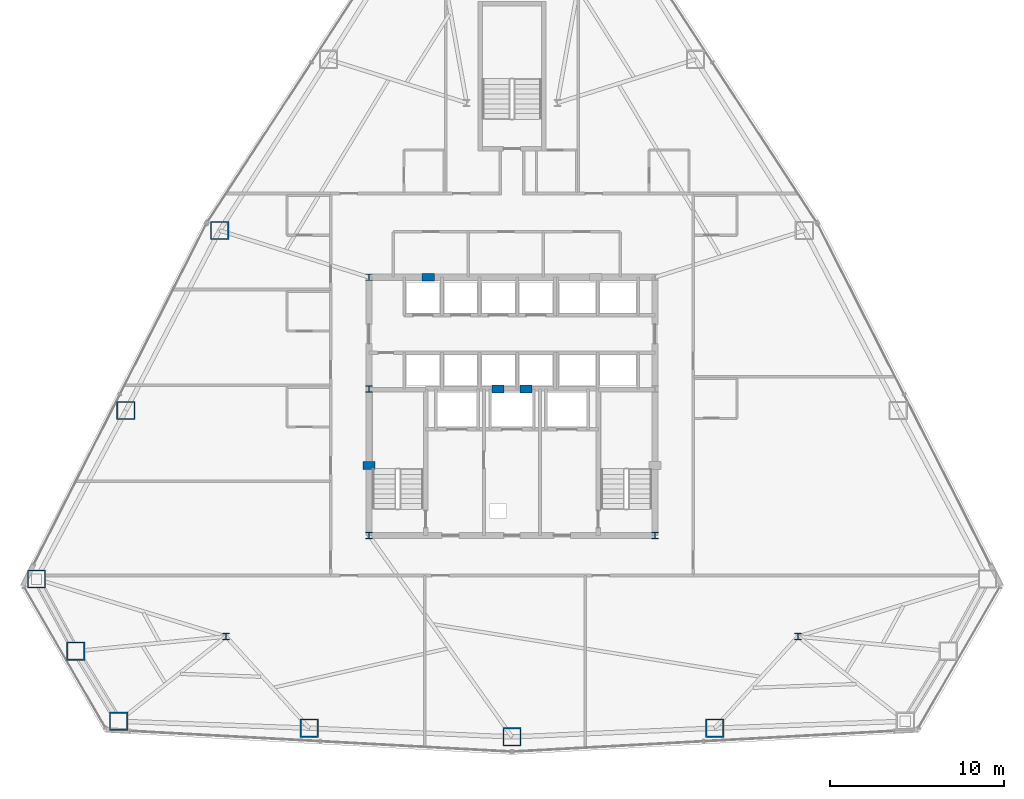
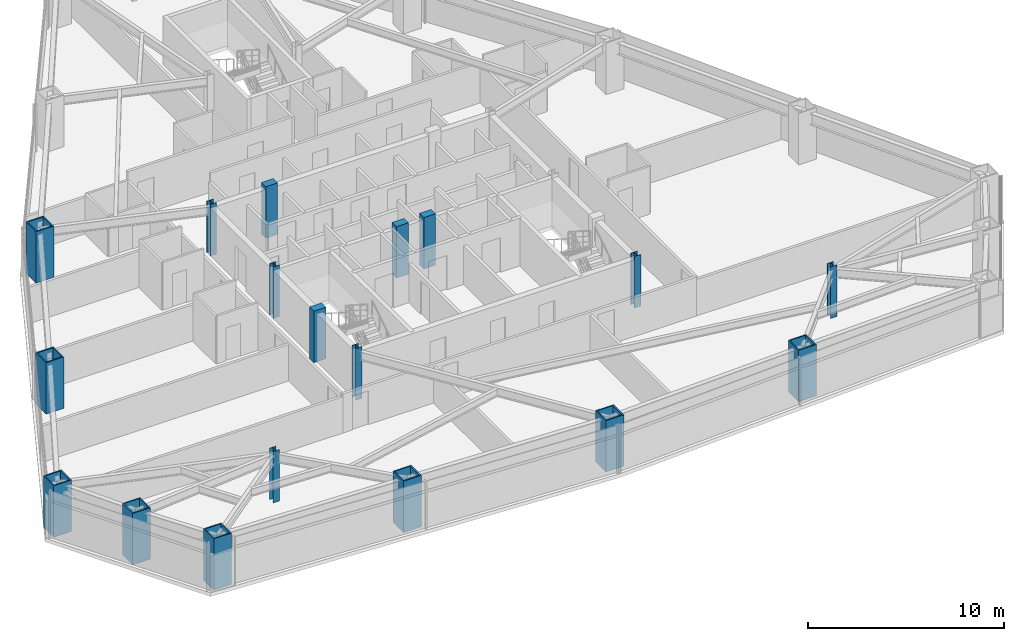
# One storey, part 1 of 12: 18 columns.
"""IFC4 building model written with IfcOpenShell, lengths in metres."""

from ifc_helpers import new_model, si_unit, direction, frame, origin, origin_2d, place, context, subcontext, project, spatial, rectangle, hollow_rectangle, i_section, extrude, material, material_profile, profile_set, type_object, element, save


model = new_model("IFC4")

# Units and contexts
model_context = context("Model", 3, precision=1e-05, world=origin(), true_north=direction((0.0, 1.0)))
body_context = subcontext(model_context, "Body", "Model", "MODEL_VIEW")
ifc_project = project(units=[si_unit("LENGTHUNIT", "METRE"), si_unit("AREAUNIT", "SQUARE_METRE"), si_unit("VOLUMEUNIT", "CUBIC_METRE"), si_unit("PLANEANGLEUNIT", "RADIAN"), si_unit("MASSUNIT", "GRAM", prefix="KILO")], contexts=[model_context])

# Site, building, storey
site_placement = place(None, origin())
site = spatial("IfcSite", under=ifc_project, at=site_placement, CompositionType="ELEMENT")
building_placement = place(site_placement, origin())
building = spatial("IfcBuilding", under=site, at=building_placement, Name="Varakhsha Concourse Tower", CompositionType="ELEMENT")
storey_placement = place(building_placement, frame((0.0, 0.0, 76.60009765625)))
storey = spatial("IfcBuildingStorey", under=building, at=storey_placement, Name="L21", CompositionType="ELEMENT", Elevation=76.60009765625)

# Columns
ifc_material_1 = material(Name="Structural Steel ASTM A992 Grade 50", Category="steel")
ifc_material_profile_1 = material_profile(ifc_material_1, i_section(OverallWidth=0.3740234375, OverallDepth=0.3720703125, WebThickness=0.01611328125, FlangeThickness=0.02587890625, at=origin_2d()), Name="W14X132")
ifc_profile_set_1 = profile_set([ifc_material_profile_1], Name="Structural Steel ASTM A992 Grade 50")
column_type_1 = type_object("IfcColumnType", Name="CL-CORE-W14X132", PredefinedType="COLUMN", material=ifc_profile_set_1)
for number, where, z_axis, x_axis, name in (
    (1, (31.800048828125, 16.39990234375, 0.0), (0.0, 0.0, 1.0), (1.0, 0.0, 0.0), "L21 Core Column CC-SW"),
    (2, (48.199951171875, 16.39990234375, 0.0), (0.0, 0.0, 1.0), (1.0, 0.0, 0.0), "L21 Core Column CC-SE"),
    (3, (31.800048828125, 24.800048828125, 0.0), (0.0, 0.0, 1.0), (1.0, 0.0, 0.0), "L21 Core Column CC-MW"),
    (4, (31.800048828125, 31.199951171875, 0.0), (0.0, 0.0, 1.0), (1.0, 0.0, 0.0), "L21 Core Column CC-NW"),
    (5, (23.60009765625, 10.60009765625, 0.0), (0.0, 0.0, 1.0), (1.0, 0.0, 0.0), "L21 Core Column SS-W"),
    (6, (56.39990234375, 10.60009765625, 0.0), (0.0, 0.0, 1.0), (1.0, 0.0, 0.0), "L21 Core Column SS-E"),
):
    element("IfcColumn", number, at=place(storey_placement, frame(where, z_axis=z_axis, x_axis=x_axis)), inside=storey, type_object=column_type_1, Name=name, PredefinedType="COLUMN", context=body_context, shape_type="SweptSolid", body=[
        extrude(i_section(OverallWidth=0.3740234375, OverallDepth=0.3720703125, WebThickness=0.01611328125, FlangeThickness=0.02587890625, at=origin_2d()), origin(), (0.0, 0.0, 1.0), 3.199951171875),
    ])
ifc_material_2 = material(Name="Concrete fc 65 MPa", Category="concrete")
ifc_material_profile_2 = material_profile(ifc_material_2, rectangle(XDim=0.699951171875, YDim=0.449951171875, at=origin_2d()), Name="RC 700x450")
ifc_profile_set_2 = profile_set([ifc_material_profile_2], Name="Concrete fc 65 MPa")
column_type_2 = type_object("IfcColumnType", Name="CL-PIL-700X450", PredefinedType="PILASTER", material=ifc_profile_set_2)
for number, where, z_axis, x_axis, name in (
    (7, (31.800048828125, 20.39990234375, 0.0), (0.0, 0.0, 1.0), (1.0, 0.0, 0.0), "L21 Core Boundary Pilaster PIL-W1"),
    (8, (35.199951171875, 31.199951171875, 0.0), (0.0, 0.0, 1.0), (1.0, 0.0, 0.0), "L21 Core Boundary Pilaster PIL-N1"),
    (9, (39.199951171875, 24.800048828125, 0.0), (0.0, 0.0, 1.0), (1.0, 0.0, 0.0), "L21 Core Boundary Pilaster PIL-M1"),
    (10, (40.800048828125, 24.800048828125, 0.0), (0.0, 0.0, 1.0), (1.0, 0.0, 0.0), "L21 Core Boundary Pilaster PIL-M2"),
):
    element("IfcColumn", number, at=place(storey_placement, frame(where, z_axis=z_axis, x_axis=x_axis)), inside=storey, type_object=column_type_2, Name=name, PredefinedType="PILASTER", context=body_context, shape_type="SweptSolid", body=[
        extrude(rectangle(XDim=0.699951171875, YDim=0.449951171875, at=origin_2d()), origin(), (0.0, 0.0, 1.0), 3.199951171875),
    ])
ifc_material_3 = material(Name="Structural Steel ASTM A572 Grade 50", Category="steel")
ifc_material_profile_3 = material_profile(ifc_material_3, hollow_rectangle(XDim=1.050048828125, YDim=1.050048828125, WallThickness=0.070068359375, at=origin_2d()), Name="BOX 1050x1050x70")
ifc_profile_set_3 = profile_set([ifc_material_profile_3], Name="Structural Steel ASTM A572 Grade 50")
column_type_3 = type_object("IfcColumnType", Name="CL-TUBE-1050", PredefinedType="COLUMN", material=ifc_profile_set_3)
for number, where, z_axis, x_axis, name in (
    (11, (23.237060546875, 33.878173828125, 0.0), (0.0, 0.0, 1.0), (1.0, 0.0, 0.0), "L21 Framed-Tube Column TC05"),
    (12, (17.85986328125, 23.562744140625, 0.0), (0.0, 0.0, 1.0), (1.0, 0.0, 0.0), "L21 Framed-Tube Column TC06"),
    (13, (12.73583984375, 13.8955078125, 0.0), (0.0, 0.0, 1.0), (1.0, 0.0, 0.0), "L21 Framed-Tube Column TC07"),
    (14, (14.987060546875, 9.7587890625, 0.0), (0.0, 0.0, 1.0), (1.0, 0.0, 0.0), "L21 Framed-Tube Column TC08"),
    (15, (17.44384765625, 5.740966796875, 0.0), (0.0, 0.0, 1.0), (1.0, 0.0, 0.0), "L21 Framed-Tube Column TC09"),
    (16, (28.378173828125, 5.344482421875, 0.0), (0.0, 0.0, 1.0), (1.0, 0.0, 0.0), "L21 Framed-Tube Column TC10"),
    (17, (40.0, 4.84375, 0.0), (0.0, 0.0, 1.0), (1.0, 0.0, 0.0), "L21 Framed-Tube Column TC11"),
    (18, (51.621826171875, 5.344482421875, 0.0), (0.0, 0.0, 1.0), (1.0, 0.0, 0.0), "L21 Framed-Tube Column TC12"),
):
    element("IfcColumn", number, at=place(storey_placement, frame(where, z_axis=z_axis, x_axis=x_axis)), inside=storey, type_object=column_type_3, Name=name, PredefinedType="COLUMN", context=body_context, shape_type="SweptSolid", body=[
        extrude(hollow_rectangle(XDim=1.050048828125, YDim=1.050048828125, WallThickness=0.070068359375, at=origin_2d()), origin(), (0.0, 0.0, 1.0), 3.199951171875),
    ])

save(model, "model.ifc")
